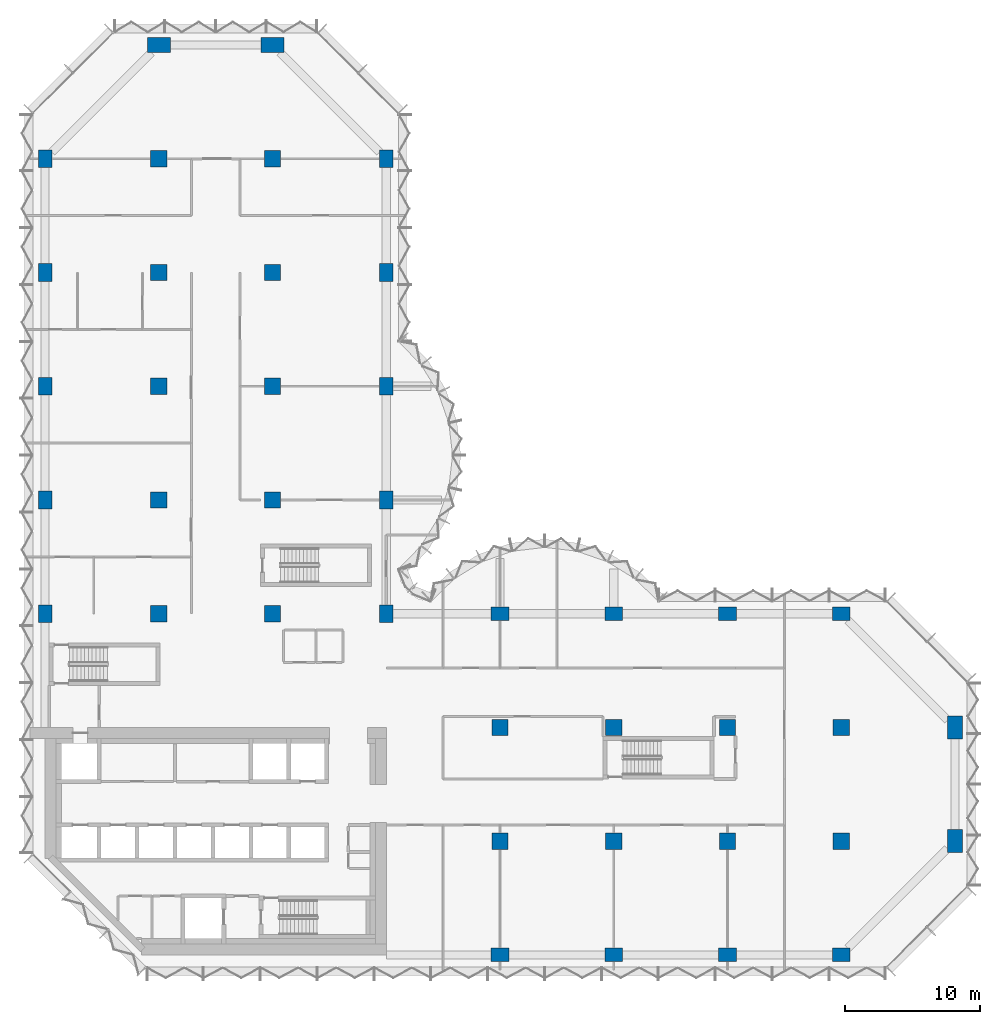
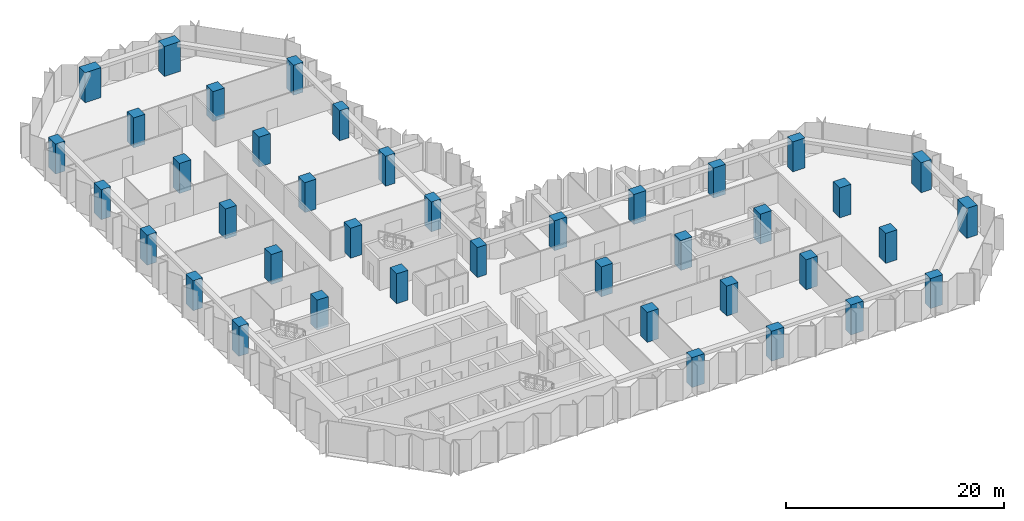
# One storey, part 1 of 13: 40 columns.
"""IFC4 building model written with IfcOpenShell, lengths in metres."""

from ifc_helpers import new_model, si_unit, direction, frame, origin, origin_2d, place, context, subcontext, project, spatial, rectangle, extrude, material, material_profile, profile_set, type_object, element, save


model = new_model("IFC4")

# Units and contexts
model_context = context("Model", 3, precision=1e-05, world=origin(), true_north=direction((0.0, 1.0)))
body_context = subcontext(model_context, "Body", "Model", "MODEL_VIEW")
ifc_project = project(units=[si_unit("LENGTHUNIT", "METRE"), si_unit("AREAUNIT", "SQUARE_METRE"), si_unit("VOLUMEUNIT", "CUBIC_METRE"), si_unit("PLANEANGLEUNIT", "RADIAN"), si_unit("MASSUNIT", "GRAM", prefix="KILO")], contexts=[model_context])

# Site, building, storey
site_placement = place(None, origin())
site = spatial("IfcSite", under=ifc_project, at=site_placement, CompositionType="ELEMENT")
building_placement = place(site_placement, origin())
building = spatial("IfcBuilding", under=site, at=building_placement, Name="Brevane Broadcast Tower", CompositionType="ELEMENT")
storey_placement = place(building_placement, frame((0.0, 0.0, 120.5)))
storey = spatial("IfcBuildingStorey", under=building, at=storey_placement, Name="L29", CompositionType="ELEMENT", Elevation=120.5)

# Columns
ifc_material = material(Name="Concrete C60/75", Category="concrete")
ifc_material_profile_1 = material_profile(ifc_material, rectangle(XDim=1.0, YDim=1.300048828125, at=origin_2d()), Name="RC 1000x1300")
ifc_profile_set_1 = profile_set([ifc_material_profile_1], Name="Concrete C60/75")
column_type_1 = type_object("IfcColumnType", Name="RC COLUMN EDGE 1000x1300 C60/75", PredefinedType="COLUMN", material=ifc_profile_set_1)
for number, where, z_axis, x_axis, name in (
    (1, (0.0, 25.199951171875, 0.0), (0.0, 0.0, 1.0), (1.0, 0.0, 0.0), "CE8 1/D"),
    (2, (0.0, 33.60009765625, 0.0), (0.0, 0.0, 1.0), (1.0, 0.0, 0.0), "CE8 1/E"),
    (3, (0.0, 42.0, 0.0), (0.0, 0.0, 1.0), (1.0, 0.0, 0.0), "CE8 1/F"),
    (4, (0.0, 50.39990234375, 0.0), (0.0, 0.0, 1.0), (1.0, 0.0, 0.0), "CE8 1/G"),
    (5, (0.0, 58.800048828125, 0.0), (0.0, 0.0, 1.0), (1.0, 0.0, 0.0), "CE8 1/H"),
    (6, (25.199951171875, 25.199951171875, 0.0), (0.0, 0.0, 1.0), (1.0, 0.0, 0.0), "CE8 4/D"),
    (7, (25.199951171875, 33.60009765625, 0.0), (0.0, 0.0, 1.0), (1.0, 0.0, 0.0), "CE8 4/E"),
    (8, (25.199951171875, 42.0, 0.0), (0.0, 0.0, 1.0), (1.0, 0.0, 0.0), "CE8 4/F"),
    (9, (25.199951171875, 50.39990234375, 0.0), (0.0, 0.0, 1.0), (1.0, 0.0, 0.0), "CE8 4/G"),
    (10, (25.199951171875, 58.800048828125, 0.0), (0.0, 0.0, 1.0), (1.0, 0.0, 0.0), "CE8 4/H"),
    (11, (33.60009765625, 0.0, 0.0), (0.0, 0.0, 1.0), (0.0, 1.0, 0.0), "CE8 5/A"),
    (12, (33.60009765625, 25.199951171875, 0.0), (0.0, 0.0, 1.0), (0.0, 1.0, 0.0), "CE8 5/D"),
    (13, (42.0, 0.0, 0.0), (0.0, 0.0, 1.0), (0.0, 1.0, 0.0), "CE8 6/A"),
    (14, (42.0, 25.199951171875, 0.0), (0.0, 0.0, 1.0), (0.0, 1.0, 0.0), "CE8 6/D"),
    (15, (50.39990234375, 0.0, 0.0), (0.0, 0.0, 1.0), (0.0, 1.0, 0.0), "CE8 7/A"),
    (16, (50.39990234375, 25.199951171875, 0.0), (0.0, 0.0, 1.0), (0.0, 1.0, 0.0), "CE8 7/D"),
    (17, (58.800048828125, 0.0, 0.0), (0.0, 0.0, 1.0), (0.0, 1.0, 0.0), "CE8 8/A"),
    (18, (58.800048828125, 25.199951171875, 0.0), (0.0, 0.0, 1.0), (0.0, 1.0, 0.0), "CE8 8/D"),
):
    element("IfcColumn", number, at=place(storey_placement, frame(where, z_axis=z_axis, x_axis=x_axis)), inside=storey, type_object=column_type_1, Name=name, PredefinedType="COLUMN", context=body_context, shape_type="SweptSolid", body=[
        extrude(rectangle(XDim=1.0, YDim=1.300048828125, at=origin_2d()), origin(), (0.0, 0.0, 1.0), 3.35009765625),
    ])
ifc_material_profile_2 = material_profile(ifc_material, rectangle(XDim=1.199951171875, YDim=1.199951171875, at=origin_2d()), Name="RC 1200x1200")
ifc_profile_set_2 = profile_set([ifc_material_profile_2], Name="Concrete C60/75")
column_type_2 = type_object("IfcColumnType", Name="RC COLUMN INTERIOR 1200x1200 C60/75", PredefinedType="COLUMN", material=ifc_profile_set_2)
for number, where, z_axis, x_axis, name in (
    (19, (8.39990234375, 25.199951171875, 0.0), (0.0, 0.0, 1.0), (1.0, 0.0, 0.0), "CI9 2/D"),
    (20, (8.39990234375, 33.60009765625, 0.0), (0.0, 0.0, 1.0), (1.0, 0.0, 0.0), "CI9 2/E"),
    (21, (8.39990234375, 42.0, 0.0), (0.0, 0.0, 1.0), (1.0, 0.0, 0.0), "CI9 2/F"),
    (22, (8.39990234375, 50.39990234375, 0.0), (0.0, 0.0, 1.0), (1.0, 0.0, 0.0), "CI9 2/G"),
    (23, (8.39990234375, 58.800048828125, 0.0), (0.0, 0.0, 1.0), (1.0, 0.0, 0.0), "CI9 2/H"),
    (24, (16.800048828125, 25.199951171875, 0.0), (0.0, 0.0, 1.0), (1.0, 0.0, 0.0), "CI9 3/D"),
    (25, (16.800048828125, 33.60009765625, 0.0), (0.0, 0.0, 1.0), (1.0, 0.0, 0.0), "CI9 3/E"),
    (26, (16.800048828125, 42.0, 0.0), (0.0, 0.0, 1.0), (1.0, 0.0, 0.0), "CI9 3/F"),
    (27, (16.800048828125, 50.39990234375, 0.0), (0.0, 0.0, 1.0), (1.0, 0.0, 0.0), "CI9 3/G"),
    (28, (16.800048828125, 58.800048828125, 0.0), (0.0, 0.0, 1.0), (1.0, 0.0, 0.0), "CI9 3/H"),
    (29, (33.60009765625, 8.39990234375, 0.0), (0.0, 0.0, 1.0), (1.0, 0.0, 0.0), "CI9 5/B"),
    (30, (33.60009765625, 16.800048828125, 0.0), (0.0, 0.0, 1.0), (1.0, 0.0, 0.0), "CI9 5/C"),
    (31, (42.0, 8.39990234375, 0.0), (0.0, 0.0, 1.0), (1.0, 0.0, 0.0), "CI9 6/B"),
    (32, (42.0, 16.800048828125, 0.0), (0.0, 0.0, 1.0), (1.0, 0.0, 0.0), "CI9 6/C"),
    (33, (50.39990234375, 8.39990234375, 0.0), (0.0, 0.0, 1.0), (1.0, 0.0, 0.0), "CI9 7/B"),
    (34, (50.39990234375, 16.800048828125, 0.0), (0.0, 0.0, 1.0), (1.0, 0.0, 0.0), "CI9 7/C"),
    (35, (58.800048828125, 8.39990234375, 0.0), (0.0, 0.0, 1.0), (1.0, 0.0, 0.0), "CI9 8/B"),
    (36, (58.800048828125, 16.800048828125, 0.0), (0.0, 0.0, 1.0), (1.0, 0.0, 0.0), "CI9 8/C"),
):
    element("IfcColumn", number, at=place(storey_placement, frame(where, z_axis=z_axis, x_axis=x_axis)), inside=storey, type_object=column_type_2, Name=name, PredefinedType="COLUMN", context=body_context, shape_type="SweptSolid", body=[
        extrude(rectangle(XDim=1.199951171875, YDim=1.199951171875, at=origin_2d()), origin(), (0.0, 0.0, 1.0), 3.35009765625),
    ])
ifc_material_profile_3 = material_profile(ifc_material, rectangle(XDim=1.10009765625, YDim=1.699951171875, at=origin_2d()), Name="RC 1100x1700")
ifc_profile_set_3 = profile_set([ifc_material_profile_3], Name="Concrete C60/75")
column_type_3 = type_object("IfcColumnType", Name="RC COLUMN WING-END 1100x1700 C60/75", PredefinedType="COLUMN", material=ifc_profile_set_3)
for number, where, z_axis, x_axis, name in (
    (37, (8.39990234375, 67.199951171875, 0.0), (0.0, 0.0, 1.0), (0.0, 1.0, 0.0), "CW10 2/I"),
    (38, (16.800048828125, 67.199951171875, 0.0), (0.0, 0.0, 1.0), (0.0, 1.0, 0.0), "CW10 3/I"),
    (39, (67.199951171875, 8.39990234375, 0.0), (0.0, 0.0, 1.0), (1.0, 0.0, 0.0), "CW10 9/B"),
    (40, (67.199951171875, 16.800048828125, 0.0), (0.0, 0.0, 1.0), (1.0, 0.0, 0.0), "CW10 9/C"),
):
    element("IfcColumn", number, at=place(storey_placement, frame(where, z_axis=z_axis, x_axis=x_axis)), inside=storey, type_object=column_type_3, Name=name, PredefinedType="COLUMN", context=body_context, shape_type="SweptSolid", body=[
        extrude(rectangle(XDim=1.10009765625, YDim=1.699951171875, at=origin_2d()), origin(), (0.0, 0.0, 1.0), 3.35009765625),
    ])

save(model, "model.ifc")
